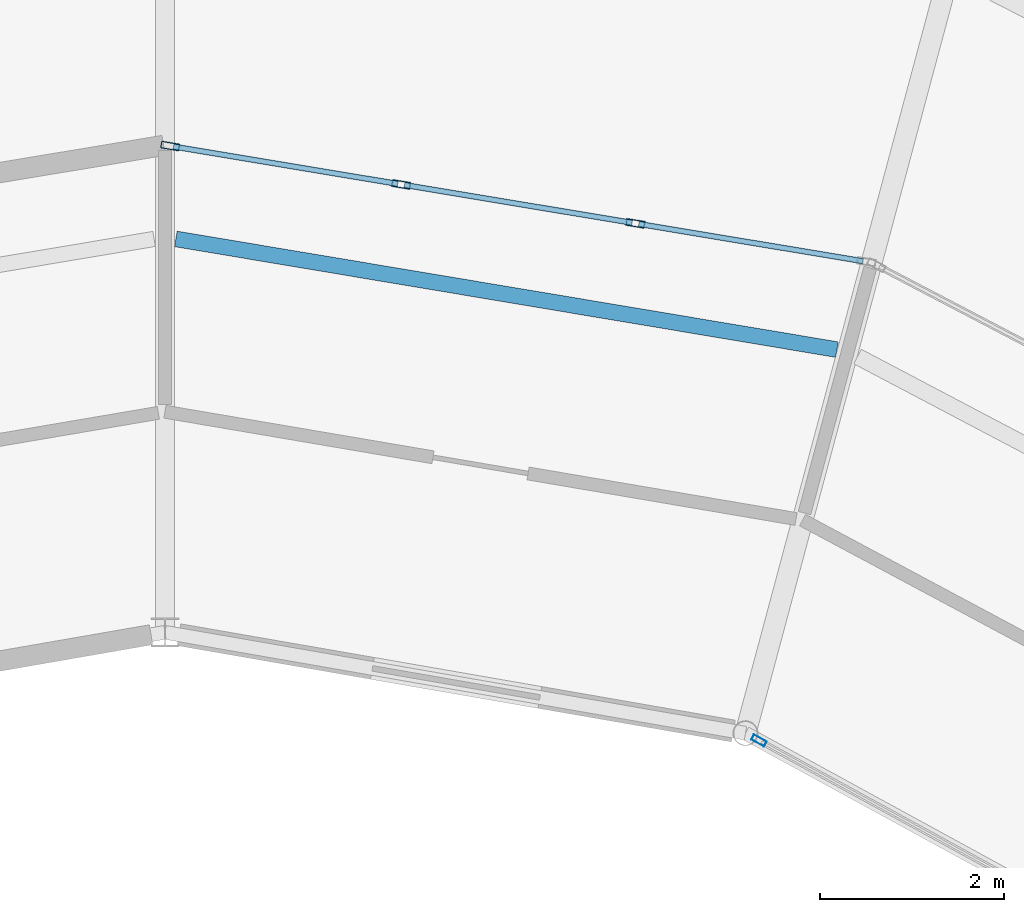
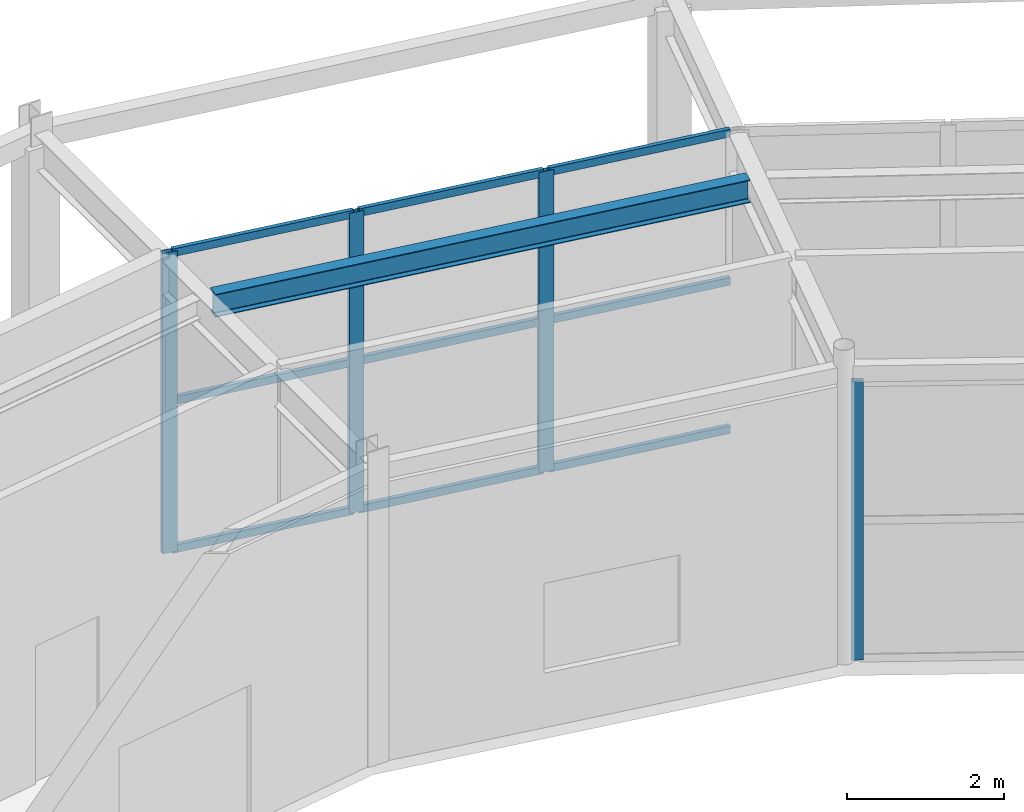
# One storey, part 88 of 144: 13 members, 1 beam, 2 elements without a shape of their own.
"""IFC4 building model written with IfcOpenShell, lengths in metres."""

from ifc_helpers import new_model, si_unit, direction, frame, origin, origin_2d, place, context, subcontext, project, spatial, hollow_rectangle, i_section, extrude, material, material_profile, profile_set, type_object, element, aggregate, save


model = new_model("IFC4")

# Units and contexts
model_context = context("Model", 3, precision=1e-05, world=origin(), true_north=direction((0.0, 1.0)))
body_context = subcontext(model_context, "Body", "Model", "MODEL_VIEW")
ifc_project = project(units=[si_unit("LENGTHUNIT", "METRE"), si_unit("AREAUNIT", "SQUARE_METRE"), si_unit("VOLUMEUNIT", "CUBIC_METRE"), si_unit("PLANEANGLEUNIT", "RADIAN"), si_unit("MASSUNIT", "GRAM", prefix="KILO")], contexts=[model_context])

# Site, building, storey
site_placement = place(None, origin())
site = spatial("IfcSite", under=ifc_project, at=site_placement, CompositionType="ELEMENT")
building_placement = place(site_placement, origin())
building = spatial("IfcBuilding", under=site, at=building_placement, Name="Karori Crest Natural Sciences Institute", CompositionType="ELEMENT")
storey_placement = place(building_placement, origin())
storey = spatial("IfcBuildingStorey", under=building, at=storey_placement, Name="L00", CompositionType="ELEMENT", Elevation=0.0)

# Beam
ifc_material_1 = material(Name="Structural steel AS/NZS 3679.1 Grade 350", Category="steel")
ifc_material_profile_1 = material_profile(ifc_material_1, i_section(OverallWidth=0.1708984375, OverallDepth=0.35595703125, WebThickness=0.00732421875, FlangeThickness=0.011474609375, FilletRadius=0.010986328125, at=origin_2d()), Name="360UB50.7")
ifc_profile_set_1 = profile_set([ifc_material_profile_1], Name="Structural steel AS/NZS 3679.1 Grade 350")
beam_type = type_object("IfcBeamType", Name="BT-30", PredefinedType="BEAM", material=ifc_profile_set_1)
beam_placement = place(storey_placement, frame((73.709716796875, 85.176025390625, 4.4619140625), z_axis=(-0.986270575365, 0.165137373632, 0.0), x_axis=(-0.165137373632, -0.986270575365, 0.0)))
element("IfcBeam", 1, at=beam_placement, inside=storey, type_object=beam_type, Name="Beam B-0112", PredefinedType="BEAM", context=body_context, shape_type="SweptSolid", body=[
    extrude(i_section(OverallWidth=0.1708984375, OverallDepth=0.35595703125, WebThickness=0.00732421875, FlangeThickness=0.011474609375, FilletRadius=0.010986328125, at=origin_2d()), origin(), (0.0, 0.0, 1.0), 7.29150390625),
])

# Curtain wall, member
ifc_material_2 = material(Name="Anodised architectural aluminium 6063-T6", Category="aluminium")
curtain_wall_type_1 = type_object("IfcCurtainWallType", Name="CWT-15", PredefinedType="NOTDEFINED", material=ifc_material_2)
curtain_wall_1_placement = place(storey_placement, origin())
curtain_wall_1 = element("IfcCurtainWall", 2, at=curtain_wall_1_placement, inside=storey, type_object=curtain_wall_type_1, Name="Curtain wall CW-0007", PredefinedType="NOTDEFINED")
ifc_material_profile_2 = material_profile(ifc_material_2, hollow_rectangle(XDim=0.06494140625, YDim=0.159912109375, WallThickness=0.00390625, at=origin_2d()), Name="CWM160x65x4")
ifc_profile_set_2 = profile_set([ifc_material_profile_2], Name="Anodised architectural aluminium 6063-T6")
member_type_1 = type_object("IfcMemberType", Name="CWM-01", PredefinedType="MULLION", material=ifc_profile_set_2)
member_1_placement = place(storey_placement, frame((72.86181640625, 80.922607421875, 0.0), z_axis=(0.0, 0.0, 1.0), x_axis=(-0.479643389875, -0.877463514084, 0.0)))
member_1 = element("IfcMember", 3, at=member_1_placement, type_object=member_type_1, Name="CW-0007 mullion 3", PredefinedType="MULLION", context=body_context, shape_type="SweptSolid", body=[
    extrude(hollow_rectangle(XDim=0.06494140625, YDim=0.159912109375, WallThickness=0.00390625, at=origin_2d()), origin(), (0.0, 0.0, 1.0), 4.35009765625),
])
aggregate(curtain_wall_1, [member_1])

# Curtain wall, members
curtain_wall_type_2 = type_object("IfcCurtainWallType", Name="CWT-06", PredefinedType="NOTDEFINED", material=ifc_material_2)
curtain_wall_2_placement = place(storey_placement, origin())
curtain_wall_2 = element("IfcCurtainWall", 4, at=curtain_wall_2_placement, inside=storey, type_object=curtain_wall_type_2, Name="Curtain wall CW-0008", PredefinedType="NOTDEFINED")
ifc_material_profile_3 = material_profile(ifc_material_2, hollow_rectangle(XDim=0.074951171875, YDim=0.199951171875, WallThickness=0.0048828125, at=origin_2d()), Name="CWM200x75x5")
ifc_profile_set_3 = profile_set([ifc_material_profile_3], Name="Anodised architectural aluminium 6063-T6")
member_type_2 = type_object("IfcMemberType", Name="CWM-02", PredefinedType="MULLION", material=ifc_profile_set_3)
member_2_placement = place(storey_placement, frame((66.456787109375, 87.390625, 0.0), z_axis=(0.0, 0.0, 1.0), x_axis=(0.1639743451, 0.986464603597, 0.0)))
member_2 = element("IfcMember", 5, at=member_2_placement, type_object=member_type_2, Name="CW-0008 mullion 1", PredefinedType="MULLION", context=body_context, shape_type="SweptSolid", body=[
    extrude(hollow_rectangle(XDim=0.074951171875, YDim=0.199951171875, WallThickness=0.0048828125, at=origin_2d()), origin(), (0.0, 0.0, 1.0), 4.679931640625),
])
member_3_placement = place(storey_placement, frame((68.96875, 86.972900390625, 0.0), z_axis=(0.0, 0.0, 1.0), x_axis=(0.1639743451, 0.986464603597, 0.0)))
member_3 = element("IfcMember", 6, at=member_3_placement, type_object=member_type_2, Name="CW-0008 mullion 2", PredefinedType="MULLION", context=body_context, shape_type="SweptSolid", body=[
    extrude(hollow_rectangle(XDim=0.074951171875, YDim=0.199951171875, WallThickness=0.0048828125, at=origin_2d()), origin(), (0.0, 0.0, 1.0), 4.679931640625),
])
member_4_placement = place(storey_placement, frame((71.51806640625, 86.54931640625, 0.0), z_axis=(0.0, 0.0, 1.0), x_axis=(0.1639743451, 0.986464603597, 0.0)))
member_4 = element("IfcMember", 7, at=member_4_placement, type_object=member_type_2, Name="CW-0008 mullion 3", PredefinedType="MULLION", context=body_context, shape_type="SweptSolid", body=[
    extrude(hollow_rectangle(XDim=0.074951171875, YDim=0.199951171875, WallThickness=0.0048828125, at=origin_2d()), origin(), (0.0, 0.0, 1.0), 4.679931640625),
])
ifc_material_profile_4 = material_profile(ifc_material_2, hollow_rectangle(XDim=0.06005859375, YDim=0.1201171875, WallThickness=0.00390625, at=origin_2d()), Name="CWT120x60x4")
ifc_profile_set_4 = profile_set([ifc_material_profile_4], Name="Anodised architectural aluminium 6063-T6")
member_type_3 = type_object("IfcMemberType", Name="CWT-TR1", PredefinedType="USERDEFINED", material=ifc_profile_set_4)
member_5_placement = place(storey_placement, frame((66.49365234375, 87.384521484375, 0.030029296875), z_axis=(0.986449927059, -0.164062614283, 0.0), x_axis=(0.164062614283, 0.986449927059, 0.0)))
member_5 = element("IfcMember", 8, at=member_5_placement, type_object=member_type_3, Name="CW-0008 transom 1.1", ObjectType="TRANSOM", PredefinedType="USERDEFINED", context=body_context, shape_type="SweptSolid", body=[
    extrude(hollow_rectangle(XDim=0.06005859375, YDim=0.1201171875, WallThickness=0.00390625, at=origin_2d()), origin(), (0.0, 0.0, 1.0), 2.4716796875),
])
member_6_placement = place(storey_placement, frame((66.49365234375, 87.384521484375, 2.340087890625), z_axis=(0.986449927059, -0.164062614283, 0.0), x_axis=(0.164062614283, 0.986449927059, 0.0)))
member_6 = element("IfcMember", 9, at=member_6_placement, type_object=member_type_3, Name="CW-0008 transom 1.2", ObjectType="TRANSOM", PredefinedType="USERDEFINED", context=body_context, shape_type="SweptSolid", body=[
    extrude(hollow_rectangle(XDim=0.06005859375, YDim=0.1201171875, WallThickness=0.00390625, at=origin_2d()), origin(), (0.0, 0.0, 1.0), 2.4716796875),
])
member_7_placement = place(storey_placement, frame((66.49365234375, 87.384521484375, 4.64990234375), z_axis=(0.986449927059, -0.164062614283, 0.0), x_axis=(0.164062614283, 0.986449927059, 0.0)))
member_7 = element("IfcMember", 10, at=member_7_placement, type_object=member_type_3, Name="CW-0008 transom 1.3", ObjectType="TRANSOM", PredefinedType="USERDEFINED", context=body_context, shape_type="SweptSolid", body=[
    extrude(hollow_rectangle(XDim=0.06005859375, YDim=0.1201171875, WallThickness=0.00390625, at=origin_2d()), origin(), (0.0, 0.0, 1.0), 2.4716796875),
])
member_8_placement = place(storey_placement, frame((69.005859375, 86.966796875, 0.030029296875), z_axis=(0.986467460309, -0.163957158278, 0.0), x_axis=(0.163957158278, 0.986467460309, 0.0)))
member_8 = element("IfcMember", 11, at=member_8_placement, type_object=member_type_3, Name="CW-0008 transom 2.1", ObjectType="TRANSOM", PredefinedType="USERDEFINED", context=body_context, shape_type="SweptSolid", body=[
    extrude(hollow_rectangle(XDim=0.06005859375, YDim=0.1201171875, WallThickness=0.00390625, at=origin_2d()), origin(), (0.0, 0.0, 1.0), 2.509033203125),
])
member_9_placement = place(storey_placement, frame((69.005859375, 86.966796875, 2.340087890625), z_axis=(0.986467460309, -0.163957158278, 0.0), x_axis=(0.163957158278, 0.986467460309, 0.0)))
member_9 = element("IfcMember", 12, at=member_9_placement, type_object=member_type_3, Name="CW-0008 transom 2.2", ObjectType="TRANSOM", PredefinedType="USERDEFINED", context=body_context, shape_type="SweptSolid", body=[
    extrude(hollow_rectangle(XDim=0.06005859375, YDim=0.1201171875, WallThickness=0.00390625, at=origin_2d()), origin(), (0.0, 0.0, 1.0), 2.509033203125),
])
member_10_placement = place(storey_placement, frame((69.005859375, 86.966796875, 4.64990234375), z_axis=(0.986467460309, -0.163957158278, 0.0), x_axis=(0.163957158278, 0.986467460309, 0.0)))
member_10 = element("IfcMember", 13, at=member_10_placement, type_object=member_type_3, Name="CW-0008 transom 2.3", ObjectType="TRANSOM", PredefinedType="USERDEFINED", context=body_context, shape_type="SweptSolid", body=[
    extrude(hollow_rectangle(XDim=0.06005859375, YDim=0.1201171875, WallThickness=0.00390625, at=origin_2d()), origin(), (0.0, 0.0, 1.0), 2.509033203125),
])
member_11_placement = place(storey_placement, frame((71.554931640625, 86.54296875, 0.030029296875), z_axis=(0.986465908078, -0.163966497187, 0.0), x_axis=(0.163966497187, 0.986465908078, 0.0)))
member_11 = element("IfcMember", 14, at=member_11_placement, type_object=member_type_3, Name="CW-0008 transom 3.1", ObjectType="TRANSOM", PredefinedType="USERDEFINED", context=body_context, shape_type="SweptSolid", body=[
    extrude(hollow_rectangle(XDim=0.06005859375, YDim=0.1201171875, WallThickness=0.00390625, at=origin_2d()), origin(), (0.0, 0.0, 1.0), 2.4716796875),
])
member_12_placement = place(storey_placement, frame((71.554931640625, 86.54296875, 2.340087890625), z_axis=(0.986465908078, -0.163966497187, 0.0), x_axis=(0.163966497187, 0.986465908078, 0.0)))
member_12 = element("IfcMember", 15, at=member_12_placement, type_object=member_type_3, Name="CW-0008 transom 3.2", ObjectType="TRANSOM", PredefinedType="USERDEFINED", context=body_context, shape_type="SweptSolid", body=[
    extrude(hollow_rectangle(XDim=0.06005859375, YDim=0.1201171875, WallThickness=0.00390625, at=origin_2d()), origin(), (0.0, 0.0, 1.0), 2.4716796875),
])
member_13_placement = place(storey_placement, frame((71.554931640625, 86.54296875, 4.64990234375), z_axis=(0.986465908078, -0.163966497187, 0.0), x_axis=(0.163966497187, 0.986465908078, 0.0)))
member_13 = element("IfcMember", 16, at=member_13_placement, type_object=member_type_3, Name="CW-0008 transom 3.3", ObjectType="TRANSOM", PredefinedType="USERDEFINED", context=body_context, shape_type="SweptSolid", body=[
    extrude(hollow_rectangle(XDim=0.06005859375, YDim=0.1201171875, WallThickness=0.00390625, at=origin_2d()), origin(), (0.0, 0.0, 1.0), 2.4716796875),
])
aggregate(curtain_wall_2, [member_2, member_3, member_4, member_5, member_6, member_7, member_8, member_9, member_10, member_11, member_12, member_13])

save(model, "model.ifc")
